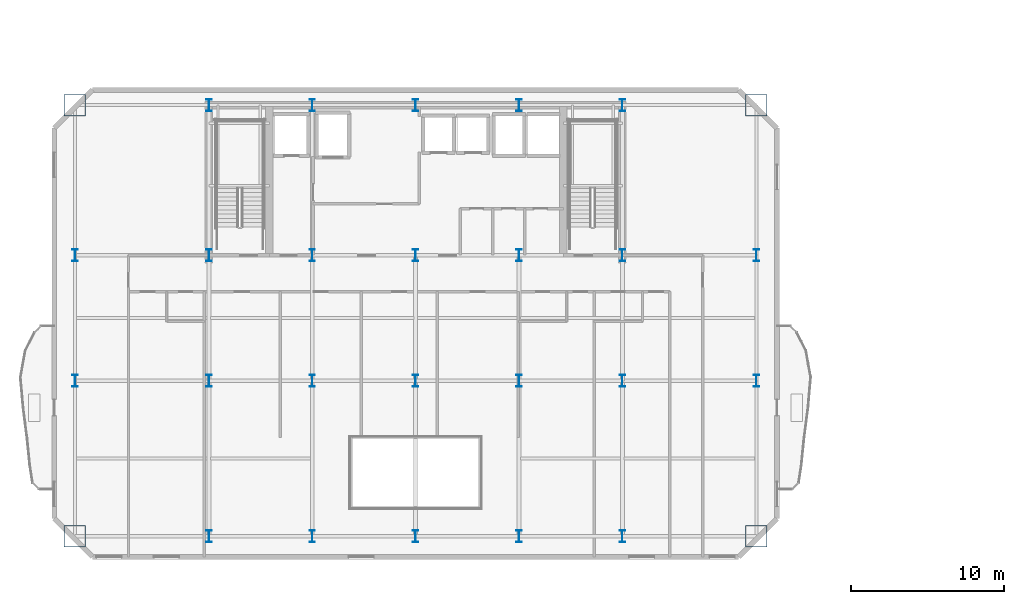
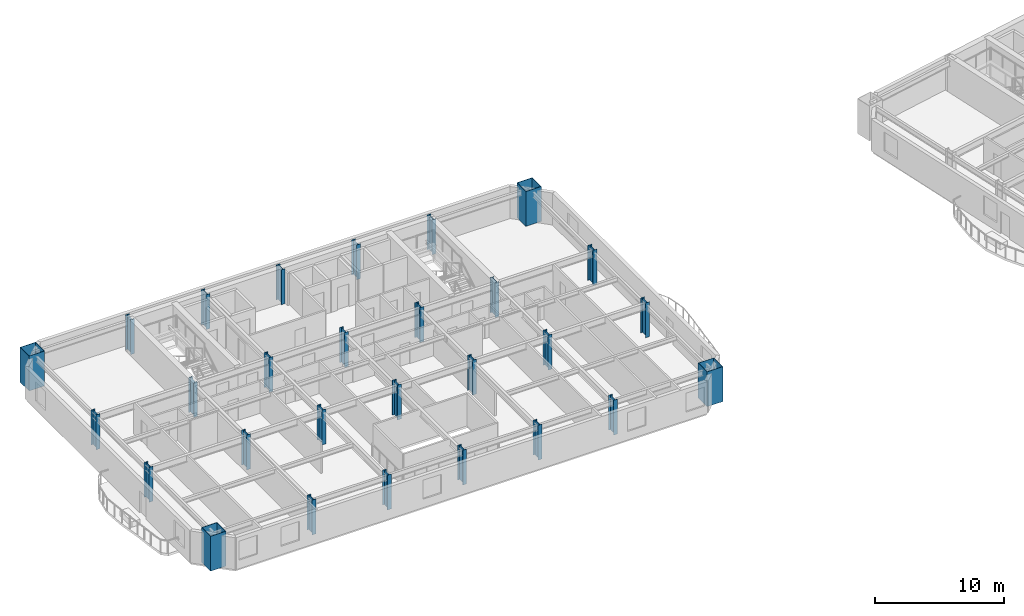
# One storey, part 1 of 14: 28 columns.
"""IFC4 building model written with IfcOpenShell, lengths in metres."""

from ifc_helpers import new_model, si_unit, direction, frame, origin, origin_2d, place, context, subcontext, project, spatial, hollow_rectangle, i_section, extrude, material, material_profile, profile_set, type_object, element, save


model = new_model("IFC4")

# Units and contexts
model_context = context("Model", 3, precision=1e-05, world=origin(), true_north=direction((0.0, 1.0)))
body_context = subcontext(model_context, "Body", "Model", "MODEL_VIEW")
ifc_project = project(units=[si_unit("LENGTHUNIT", "METRE"), si_unit("AREAUNIT", "SQUARE_METRE"), si_unit("VOLUMEUNIT", "CUBIC_METRE"), si_unit("PLANEANGLEUNIT", "RADIAN"), si_unit("MASSUNIT", "GRAM", prefix="KILO")], contexts=[model_context])

# Site, building, storey
site_placement = place(None, origin())
site = spatial("IfcSite", under=ifc_project, at=site_placement, CompositionType="ELEMENT")
building_placement = place(site_placement, origin())
building = spatial("IfcBuilding", under=site, at=building_placement, Name="Haevon Station Towers", CompositionType="ELEMENT")
storey_placement = place(building_placement, frame((0.0, 0.0, 106.5)))
storey = spatial("IfcBuildingStorey", under=building, at=storey_placement, Name="L28", CompositionType="ELEMENT", Elevation=106.5)

# Columns
ifc_material = material(Name="Steel S460", Category="steel")
ifc_material_profile_1 = material_profile(ifc_material, hollow_rectangle(XDim=1.39990234375, YDim=1.39990234375, WallThickness=0.035888671875, at=origin_2d()), Name="BOX-1400x1400x36")
ifc_profile_set_1 = profile_set([ifc_material_profile_1], Name="Steel S460")
column_type_1 = type_object("IfcColumnType", Name="COL-MC3", PredefinedType="COLUMN", material=ifc_profile_set_1)
for number, where, z_axis, x_axis, name in (
    (1, (15.25, 19.85009765625, 0.0), (0.0, 0.0, 1.0), (1.0, 0.0, 0.0), "COL-T1-L28-01-01"),
    (2, (15.25, 48.0, 0.0), (0.0, 0.0, 1.0), (1.0, 0.0, 0.0), "COL-T1-L28-01-04"),
    (3, (59.75, 19.85009765625, 0.0), (0.0, 0.0, 1.0), (1.0, 0.0, 0.0), "COL-T1-L28-07-01"),
    (4, (59.75, 48.0, 0.0), (0.0, 0.0, 1.0), (1.0, 0.0, 0.0), "COL-T1-L28-07-04"),
):
    element("IfcColumn", number, at=place(storey_placement, frame(where, z_axis=z_axis, x_axis=x_axis)), inside=storey, type_object=column_type_1, Name=name, PredefinedType="COLUMN", context=body_context, shape_type="SweptSolid", body=[
        extrude(hollow_rectangle(XDim=1.39990234375, YDim=1.39990234375, WallThickness=0.035888671875, at=origin_2d()), origin(), (0.0, 0.0, 1.0), 3.300048828125),
    ])
ifc_material_profile_2 = material_profile(ifc_material, i_section(OverallWidth=0.35009765625, OverallDepth=0.800048828125, WebThickness=0.01806640625, FlangeThickness=0.031982421875, at=origin_2d()), Name="H-800x350x18x32")
ifc_profile_set_2 = profile_set([ifc_material_profile_2], Name="Steel S460")
column_type_2 = type_object("IfcColumnType", Name="COL-TW2", PredefinedType="COLUMN", material=ifc_profile_set_2)
for number, where, z_axis, x_axis, name in (
    (5, (15.25, 30.0, 0.0), (0.0, 0.0, 1.0), (1.0, 0.0, 0.0), "COL-T1-L28-01-02"),
    (6, (15.25, 38.199951171875, 0.0), (0.0, 0.0, 1.0), (1.0, 0.0, 0.0), "COL-T1-L28-01-03"),
    (7, (24.0, 19.85009765625, 0.0), (0.0, 0.0, 1.0), (1.0, 0.0, 0.0), "COL-T1-L28-02-01"),
    (8, (24.0, 30.0, 0.0), (0.0, 0.0, 1.0), (1.0, 0.0, 0.0), "COL-T1-L28-02-02"),
    (9, (24.0, 38.199951171875, 0.0), (0.0, 0.0, 1.0), (1.0, 0.0, 0.0), "COL-T1-L28-02-03"),
    (10, (24.0, 48.0, 0.0), (0.0, 0.0, 1.0), (1.0, 0.0, 0.0), "COL-T1-L28-02-04"),
    (11, (30.75, 19.85009765625, 0.0), (0.0, 0.0, 1.0), (1.0, 0.0, 0.0), "COL-T1-L28-03-01"),
    (12, (30.75, 30.0, 0.0), (0.0, 0.0, 1.0), (1.0, 0.0, 0.0), "COL-T1-L28-03-02"),
    (13, (30.75, 38.199951171875, 0.0), (0.0, 0.0, 1.0), (1.0, 0.0, 0.0), "COL-T1-L28-03-03"),
    (14, (30.75, 48.0, 0.0), (0.0, 0.0, 1.0), (1.0, 0.0, 0.0), "COL-T1-L28-03-04"),
    (15, (37.5, 19.85009765625, 0.0), (0.0, 0.0, 1.0), (1.0, 0.0, 0.0), "COL-T1-L28-04-01"),
    (16, (37.5, 30.0, 0.0), (0.0, 0.0, 1.0), (1.0, 0.0, 0.0), "COL-T1-L28-04-02"),
    (17, (37.5, 38.199951171875, 0.0), (0.0, 0.0, 1.0), (1.0, 0.0, 0.0), "COL-T1-L28-04-03"),
    (18, (37.5, 48.0, 0.0), (0.0, 0.0, 1.0), (1.0, 0.0, 0.0), "COL-T1-L28-04-04"),
    (19, (44.25, 19.85009765625, 0.0), (0.0, 0.0, 1.0), (1.0, 0.0, 0.0), "COL-T1-L28-05-01"),
    (20, (44.25, 30.0, 0.0), (0.0, 0.0, 1.0), (1.0, 0.0, 0.0), "COL-T1-L28-05-02"),
    (21, (44.25, 38.199951171875, 0.0), (0.0, 0.0, 1.0), (1.0, 0.0, 0.0), "COL-T1-L28-05-03"),
    (22, (44.25, 48.0, 0.0), (0.0, 0.0, 1.0), (1.0, 0.0, 0.0), "COL-T1-L28-05-04"),
    (23, (51.0, 19.85009765625, 0.0), (0.0, 0.0, 1.0), (1.0, 0.0, 0.0), "COL-T1-L28-06-01"),
    (24, (51.0, 30.0, 0.0), (0.0, 0.0, 1.0), (1.0, 0.0, 0.0), "COL-T1-L28-06-02"),
    (25, (51.0, 38.199951171875, 0.0), (0.0, 0.0, 1.0), (1.0, 0.0, 0.0), "COL-T1-L28-06-03"),
    (26, (51.0, 48.0, 0.0), (0.0, 0.0, 1.0), (1.0, 0.0, 0.0), "COL-T1-L28-06-04"),
    (27, (59.75, 30.0, 0.0), (0.0, 0.0, 1.0), (1.0, 0.0, 0.0), "COL-T1-L28-07-02"),
    (28, (59.75, 38.199951171875, 0.0), (0.0, 0.0, 1.0), (1.0, 0.0, 0.0), "COL-T1-L28-07-03"),
):
    element("IfcColumn", number, at=place(storey_placement, frame(where, z_axis=z_axis, x_axis=x_axis)), inside=storey, type_object=column_type_2, Name=name, PredefinedType="COLUMN", context=body_context, shape_type="SweptSolid", body=[
        extrude(i_section(OverallWidth=0.35009765625, OverallDepth=0.800048828125, WebThickness=0.01806640625, FlangeThickness=0.031982421875, at=origin_2d()), origin(), (0.0, 0.0, 1.0), 3.300048828125),
    ])

save(model, "model.ifc")
